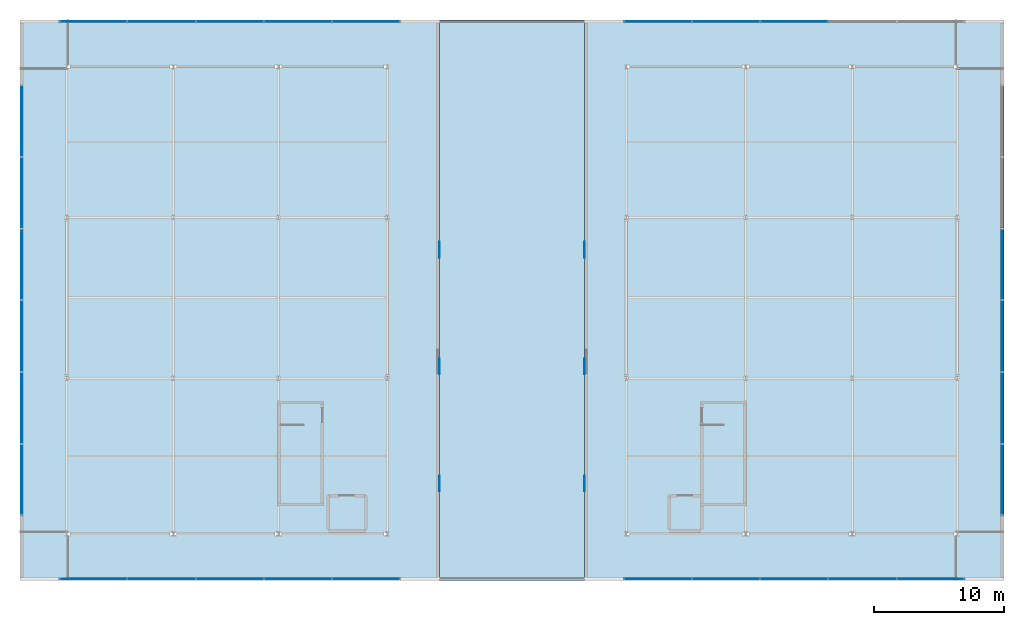
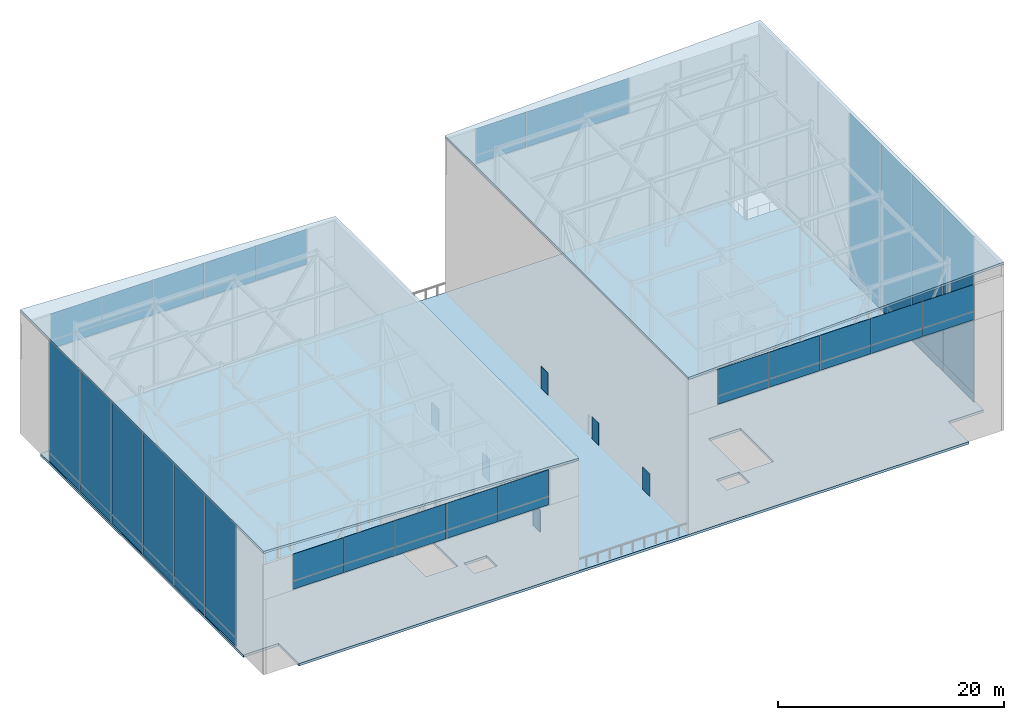
# One storey, part 36 of 39: 62 plates, 3 slabs, 6 elements without a shape of their own.
"""IFC4 building model written with IfcOpenShell, lengths in metres."""

from ifc_helpers import new_model, si_unit, direction, frame, origin, origin_2d, place, context, subcontext, project, spatial, polyline, rectangle, outline, extrude, material, layer, layer_set, type_object, element, aggregate, save


model = new_model("IFC4")

# Units and contexts
model_context = context("Model", 3, precision=1e-05, world=origin(), true_north=direction((0.0, 1.0)))
body_context = subcontext(model_context, "Body", "Model", "MODEL_VIEW")
ifc_project = project(units=[si_unit("LENGTHUNIT", "METRE"), si_unit("AREAUNIT", "SQUARE_METRE"), si_unit("VOLUMEUNIT", "CUBIC_METRE"), si_unit("PLANEANGLEUNIT", "RADIAN"), si_unit("MASSUNIT", "GRAM", prefix="KILO")], contexts=[model_context])

# Site, building, storey
site_placement = place(None, origin())
site = spatial("IfcSite", under=ifc_project, at=site_placement, CompositionType="ELEMENT")
building_placement = place(site_placement, origin())
building = spatial("IfcBuilding", under=site, at=building_placement, Name="Korimba Cascade Residences", CompositionType="ELEMENT")
storey_placement = place(building_placement, frame((0.0, 0.0, 264.199951171875)))
storey = spatial("IfcBuildingStorey", under=building, at=storey_placement, Name="RF", CompositionType="ELEMENT", Elevation=264.199951171875)

# Curtain wall, plates
ifc_material_1 = material(Name="Anodised Aluminium Curtain Wall Framing", Category="aluminium")
ifc_layer_1 = layer(ifc_material_1, 0.179931640625)
ifc_layer_set_1 = layer_set([ifc_layer_1], Name="Anodised Aluminium Curtain Wall Framing")
curtain_wall_type = type_object("IfcCurtainWallType", Name="CW-CRNW-SYS5", PredefinedType="NOTDEFINED", material=ifc_layer_set_1)
curtain_wall_1_placement = place(storey_placement, origin())
curtain_wall_1 = element("IfcCurtainWall", 1, at=curtain_wall_1_placement, inside=storey, type_object=curtain_wall_type, Name="RF Curtain Wall CW-RF-CRN-W-1", PredefinedType="NOTDEFINED")
ifc_material_2 = material(Name="Insulated Stone-Tone Spandrel Panel", Category="masonry")
ifc_layer_2 = layer(ifc_material_2, 0.0400390625)
ifc_layer_set_2 = layer_set([ifc_layer_2], Name="Insulated Stone-Tone Spandrel Panel")
plate_type_1 = type_object("IfcPlateType", Name="CWP-SPN-40", PredefinedType="USERDEFINED", material=ifc_layer_set_2)
plate_1_placement = place(storey_placement, frame((56.324951171875, 59.38671875, 0.0), z_axis=(0.0, 0.0, 1.0), x_axis=(0.0, 1.0, 0.0)))
plate_1 = element("IfcPlate", 2, at=plate_1_placement, type_object=plate_type_1, Name="CW-RF-CRN-W-1 Spandrel Panel 1", ObjectType="SPANDREL", PredefinedType="USERDEFINED", context=body_context, shape_type="SweptSolid", body=[
    extrude(rectangle(XDim=5.443359375, YDim=0.0400390625, at=origin_2d()), origin(), (0.0, 0.0, 1.0), 0.89990234375),
])
plate_2_placement = place(storey_placement, frame((56.324951171875, 64.89990234375, 0.0), z_axis=(0.0, 0.0, 1.0), x_axis=(0.0, 1.0, 0.0)))
plate_2 = element("IfcPlate", 3, at=plate_2_placement, type_object=plate_type_1, Name="CW-RF-CRN-W-1 Spandrel Panel 2", ObjectType="SPANDREL", PredefinedType="USERDEFINED", context=body_context, shape_type="SweptSolid", body=[
    extrude(rectangle(XDim=5.4833984375, YDim=0.0400390625, at=origin_2d()), origin(), (0.0, 0.0, 1.0), 0.89990234375),
])
plate_3_placement = place(storey_placement, frame((56.324951171875, 70.433349609375, 0.0), z_axis=(0.0, 0.0, 1.0), x_axis=(0.0, 1.0, 0.0)))
plate_3 = element("IfcPlate", 4, at=plate_3_placement, type_object=plate_type_1, Name="CW-RF-CRN-W-1 Spandrel Panel 3", ObjectType="SPANDREL", PredefinedType="USERDEFINED", context=body_context, shape_type="SweptSolid", body=[
    extrude(rectangle(XDim=5.4833984375, YDim=0.0400390625, at=origin_2d()), origin(), (0.0, 0.0, 1.0), 0.89990234375),
])
plate_4_placement = place(storey_placement, frame((56.324951171875, 75.966796875, 0.0), z_axis=(0.0, 0.0, 1.0), x_axis=(0.0, 1.0, 0.0)))
plate_4 = element("IfcPlate", 5, at=plate_4_placement, type_object=plate_type_1, Name="CW-RF-CRN-W-1 Spandrel Panel 4", ObjectType="SPANDREL", PredefinedType="USERDEFINED", context=body_context, shape_type="SweptSolid", body=[
    extrude(rectangle(XDim=5.4833984375, YDim=0.0400390625, at=origin_2d()), origin(), (0.0, 0.0, 1.0), 0.89990234375),
])
plate_5_placement = place(storey_placement, frame((56.324951171875, 81.5, 0.0), z_axis=(0.0, 0.0, 1.0), x_axis=(0.0, 1.0, 0.0)))
plate_5 = element("IfcPlate", 6, at=plate_5_placement, type_object=plate_type_1, Name="CW-RF-CRN-W-1 Spandrel Panel 5", ObjectType="SPANDREL", PredefinedType="USERDEFINED", context=body_context, shape_type="SweptSolid", body=[
    extrude(rectangle(XDim=5.4833984375, YDim=0.0400390625, at=origin_2d()), origin(), (0.0, 0.0, 1.0), 0.89990234375),
])
plate_6_placement = place(storey_placement, frame((56.324951171875, 87.01318359375, 0.0), z_axis=(0.0, 0.0, 1.0), x_axis=(0.0, 1.0, 0.0)))
plate_6 = element("IfcPlate", 7, at=plate_6_placement, type_object=plate_type_1, Name="CW-RF-CRN-W-1 Spandrel Panel 6", ObjectType="SPANDREL", PredefinedType="USERDEFINED", context=body_context, shape_type="SweptSolid", body=[
    extrude(rectangle(XDim=5.443359375, YDim=0.0400390625, at=origin_2d()), origin(), (0.0, 0.0, 1.0), 0.89990234375),
])

curtain_wall_2_placement = place(storey_placement, origin())
curtain_wall_2 = element("IfcCurtainWall", 8, at=curtain_wall_2_placement, inside=storey, type_object=curtain_wall_type, Name="RF Curtain Wall CW-RF-CRN-W-2", PredefinedType="NOTDEFINED")
plate_7_placement = place(storey_placement, frame((61.85009765625, 94.675048828125, 8.150146484375), z_axis=(0.0, 0.0, 1.0), x_axis=(1.0, 0.0, 0.0)))
plate_7 = element("IfcPlate", 9, at=plate_7_placement, type_object=plate_type_1, Name="CW-RF-CRN-W-2 Spandrel Panel 1", ObjectType="SPANDREL", PredefinedType="USERDEFINED", context=body_context, shape_type="SweptSolid", body=[
    extrude(rectangle(XDim=5.169921875, YDim=0.0400390625, at=origin_2d()), origin(), (0.0, 0.0, 1.0), 0.89990234375),
])
plate_8_placement = place(storey_placement, frame((67.090087890625, 94.675048828125, 8.150146484375), z_axis=(0.0, 0.0, 1.0), x_axis=(1.0, 0.0, 0.0)))
plate_8 = element("IfcPlate", 10, at=plate_8_placement, type_object=plate_type_1, Name="CW-RF-CRN-W-2 Spandrel Panel 2", ObjectType="SPANDREL", PredefinedType="USERDEFINED", context=body_context, shape_type="SweptSolid", body=[
    extrude(rectangle(XDim=5.2099609375, YDim=0.0400390625, at=origin_2d()), origin(), (0.0, 0.0, 1.0), 0.89990234375),
])
plate_9_placement = place(storey_placement, frame((72.35009765625, 94.675048828125, 8.150146484375), z_axis=(0.0, 0.0, 1.0), x_axis=(1.0, 0.0, 0.0)))
plate_9 = element("IfcPlate", 11, at=plate_9_placement, type_object=plate_type_1, Name="CW-RF-CRN-W-2 Spandrel Panel 3", ObjectType="SPANDREL", PredefinedType="USERDEFINED", context=body_context, shape_type="SweptSolid", body=[
    extrude(rectangle(XDim=5.2099609375, YDim=0.0400390625, at=origin_2d()), origin(), (0.0, 0.0, 1.0), 0.89990234375),
])
plate_10_placement = place(storey_placement, frame((77.610107421875, 94.675048828125, 8.150146484375), z_axis=(0.0, 0.0, 1.0), x_axis=(1.0, 0.0, 0.0)))
plate_10 = element("IfcPlate", 12, at=plate_10_placement, type_object=plate_type_1, Name="CW-RF-CRN-W-2 Spandrel Panel 4", ObjectType="SPANDREL", PredefinedType="USERDEFINED", context=body_context, shape_type="SweptSolid", body=[
    extrude(rectangle(XDim=5.2099609375, YDim=0.0400390625, at=origin_2d()), origin(), (0.0, 0.0, 1.0), 0.89990234375),
])
plate_11_placement = place(storey_placement, frame((82.85009765625, 94.675048828125, 8.150146484375), z_axis=(0.0, 0.0, 1.0), x_axis=(1.0, 0.0, 0.0)))
plate_11 = element("IfcPlate", 13, at=plate_11_placement, type_object=plate_type_1, Name="CW-RF-CRN-W-2 Spandrel Panel 5", ObjectType="SPANDREL", PredefinedType="USERDEFINED", context=body_context, shape_type="SweptSolid", body=[
    extrude(rectangle(XDim=5.169921875, YDim=0.0400390625, at=origin_2d()), origin(), (0.0, 0.0, 1.0), 0.89990234375),
])

curtain_wall_3_placement = place(storey_placement, origin())
curtain_wall_3 = element("IfcCurtainWall", 14, at=curtain_wall_3_placement, inside=storey, type_object=curtain_wall_type, Name="RF Curtain Wall CW-RF-CRN-W-3", PredefinedType="NOTDEFINED")
plate_12_placement = place(storey_placement, frame((61.85009765625, 51.72509765625, 8.150146484375), z_axis=(0.0, 0.0, 1.0), x_axis=(1.0, 0.0, 0.0)))
plate_12 = element("IfcPlate", 15, at=plate_12_placement, type_object=plate_type_1, Name="CW-RF-CRN-W-3 Spandrel Panel 1", ObjectType="SPANDREL", PredefinedType="USERDEFINED", context=body_context, shape_type="SweptSolid", body=[
    extrude(rectangle(XDim=5.169921875, YDim=0.0400390625, at=origin_2d()), origin(), (0.0, 0.0, 1.0), 0.89990234375),
])
plate_13_placement = place(storey_placement, frame((67.090087890625, 51.72509765625, 8.150146484375), z_axis=(0.0, 0.0, 1.0), x_axis=(1.0, 0.0, 0.0)))
plate_13 = element("IfcPlate", 16, at=plate_13_placement, type_object=plate_type_1, Name="CW-RF-CRN-W-3 Spandrel Panel 2", ObjectType="SPANDREL", PredefinedType="USERDEFINED", context=body_context, shape_type="SweptSolid", body=[
    extrude(rectangle(XDim=5.2099609375, YDim=0.0400390625, at=origin_2d()), origin(), (0.0, 0.0, 1.0), 0.89990234375),
])
plate_14_placement = place(storey_placement, frame((72.35009765625, 51.72509765625, 8.150146484375), z_axis=(0.0, 0.0, 1.0), x_axis=(1.0, 0.0, 0.0)))
plate_14 = element("IfcPlate", 17, at=plate_14_placement, type_object=plate_type_1, Name="CW-RF-CRN-W-3 Spandrel Panel 3", ObjectType="SPANDREL", PredefinedType="USERDEFINED", context=body_context, shape_type="SweptSolid", body=[
    extrude(rectangle(XDim=5.2099609375, YDim=0.0400390625, at=origin_2d()), origin(), (0.0, 0.0, 1.0), 0.89990234375),
])
plate_15_placement = place(storey_placement, frame((77.610107421875, 51.72509765625, 8.150146484375), z_axis=(0.0, 0.0, 1.0), x_axis=(1.0, 0.0, 0.0)))
plate_15 = element("IfcPlate", 18, at=plate_15_placement, type_object=plate_type_1, Name="CW-RF-CRN-W-3 Spandrel Panel 4", ObjectType="SPANDREL", PredefinedType="USERDEFINED", context=body_context, shape_type="SweptSolid", body=[
    extrude(rectangle(XDim=5.2099609375, YDim=0.0400390625, at=origin_2d()), origin(), (0.0, 0.0, 1.0), 0.89990234375),
])
plate_16_placement = place(storey_placement, frame((82.85009765625, 51.72509765625, 8.150146484375), z_axis=(0.0, 0.0, 1.0), x_axis=(1.0, 0.0, 0.0)))
plate_16 = element("IfcPlate", 19, at=plate_16_placement, type_object=plate_type_1, Name="CW-RF-CRN-W-3 Spandrel Panel 5", ObjectType="SPANDREL", PredefinedType="USERDEFINED", context=body_context, shape_type="SweptSolid", body=[
    extrude(rectangle(XDim=5.169921875, YDim=0.0400390625, at=origin_2d()), origin(), (0.0, 0.0, 1.0), 0.89990234375),
])

curtain_wall_4_placement = place(storey_placement, origin())
curtain_wall_4 = element("IfcCurtainWall", 20, at=curtain_wall_4_placement, inside=storey, type_object=curtain_wall_type, Name="RF Curtain Wall CW-RF-CRN-E-1", PredefinedType="NOTDEFINED")
plate_17_placement = place(storey_placement, frame((131.875, 59.38671875, 0.0), z_axis=(0.0, 0.0, 1.0), x_axis=(0.0, 1.0, 0.0)))
plate_17 = element("IfcPlate", 21, at=plate_17_placement, type_object=plate_type_1, Name="CW-RF-CRN-E-1 Spandrel Panel 1", ObjectType="SPANDREL", PredefinedType="USERDEFINED", context=body_context, shape_type="SweptSolid", body=[
    extrude(rectangle(XDim=5.443359375, YDim=0.0400390625, at=origin_2d()), origin(), (0.0, 0.0, 1.0), 0.89990234375),
])
plate_18_placement = place(storey_placement, frame((131.875, 64.89990234375, 0.0), z_axis=(0.0, 0.0, 1.0), x_axis=(0.0, 1.0, 0.0)))
plate_18 = element("IfcPlate", 22, at=plate_18_placement, type_object=plate_type_1, Name="CW-RF-CRN-E-1 Spandrel Panel 2", ObjectType="SPANDREL", PredefinedType="USERDEFINED", context=body_context, shape_type="SweptSolid", body=[
    extrude(rectangle(XDim=5.4833984375, YDim=0.0400390625, at=origin_2d()), origin(), (0.0, 0.0, 1.0), 0.89990234375),
])
plate_19_placement = place(storey_placement, frame((131.875, 70.433349609375, 0.0), z_axis=(0.0, 0.0, 1.0), x_axis=(0.0, 1.0, 0.0)))
plate_19 = element("IfcPlate", 23, at=plate_19_placement, type_object=plate_type_1, Name="CW-RF-CRN-E-1 Spandrel Panel 3", ObjectType="SPANDREL", PredefinedType="USERDEFINED", context=body_context, shape_type="SweptSolid", body=[
    extrude(rectangle(XDim=5.4833984375, YDim=0.0400390625, at=origin_2d()), origin(), (0.0, 0.0, 1.0), 0.89990234375),
])
plate_20_placement = place(storey_placement, frame((131.875, 75.966796875, 0.0), z_axis=(0.0, 0.0, 1.0), x_axis=(0.0, 1.0, 0.0)))
plate_20 = element("IfcPlate", 24, at=plate_20_placement, type_object=plate_type_1, Name="CW-RF-CRN-E-1 Spandrel Panel 4", ObjectType="SPANDREL", PredefinedType="USERDEFINED", context=body_context, shape_type="SweptSolid", body=[
    extrude(rectangle(XDim=5.4833984375, YDim=0.0400390625, at=origin_2d()), origin(), (0.0, 0.0, 1.0), 0.89990234375),
])

curtain_wall_5_placement = place(storey_placement, origin())
curtain_wall_5 = element("IfcCurtainWall", 25, at=curtain_wall_5_placement, inside=storey, type_object=curtain_wall_type, Name="RF Curtain Wall CW-RF-CRN-E-2", PredefinedType="NOTDEFINED")
plate_21_placement = place(storey_placement, frame((105.35009765625, 94.675048828125, 12.9501953125), z_axis=(0.0, 0.0, 1.0), x_axis=(1.0, 0.0, 0.0)))
plate_21 = element("IfcPlate", 26, at=plate_21_placement, type_object=plate_type_1, Name="CW-RF-CRN-E-2 Spandrel Panel 1", ObjectType="SPANDREL", PredefinedType="USERDEFINED", context=body_context, shape_type="SweptSolid", body=[
    extrude(rectangle(XDim=5.169921875, YDim=0.0400390625, at=origin_2d()), origin(), (0.0, 0.0, 1.0), 0.89990234375),
])
plate_22_placement = place(storey_placement, frame((110.590087890625, 94.675048828125, 12.9501953125), z_axis=(0.0, 0.0, 1.0), x_axis=(1.0, 0.0, 0.0)))
plate_22 = element("IfcPlate", 27, at=plate_22_placement, type_object=plate_type_1, Name="CW-RF-CRN-E-2 Spandrel Panel 2", ObjectType="SPANDREL", PredefinedType="USERDEFINED", context=body_context, shape_type="SweptSolid", body=[
    extrude(rectangle(XDim=5.2099609375, YDim=0.0400390625, at=origin_2d()), origin(), (0.0, 0.0, 1.0), 0.89990234375),
])
plate_23_placement = place(storey_placement, frame((115.85009765625, 94.675048828125, 12.9501953125), z_axis=(0.0, 0.0, 1.0), x_axis=(1.0, 0.0, 0.0)))
plate_23 = element("IfcPlate", 28, at=plate_23_placement, type_object=plate_type_1, Name="CW-RF-CRN-E-2 Spandrel Panel 3", ObjectType="SPANDREL", PredefinedType="USERDEFINED", context=body_context, shape_type="SweptSolid", body=[
    extrude(rectangle(XDim=5.2099609375, YDim=0.0400390625, at=origin_2d()), origin(), (0.0, 0.0, 1.0), 0.89990234375),
])

curtain_wall_6_placement = place(storey_placement, origin())
curtain_wall_6 = element("IfcCurtainWall", 29, at=curtain_wall_6_placement, inside=storey, type_object=curtain_wall_type, Name="RF Curtain Wall CW-RF-CRN-E-3", PredefinedType="NOTDEFINED")
plate_24_placement = place(storey_placement, frame((105.35009765625, 51.72509765625, 12.9501953125), z_axis=(0.0, 0.0, 1.0), x_axis=(1.0, 0.0, 0.0)))
plate_24 = element("IfcPlate", 30, at=plate_24_placement, type_object=plate_type_1, Name="CW-RF-CRN-E-3 Spandrel Panel 1", ObjectType="SPANDREL", PredefinedType="USERDEFINED", context=body_context, shape_type="SweptSolid", body=[
    extrude(rectangle(XDim=5.169921875, YDim=0.0400390625, at=origin_2d()), origin(), (0.0, 0.0, 1.0), 0.89990234375),
])
plate_25_placement = place(storey_placement, frame((110.590087890625, 51.72509765625, 12.9501953125), z_axis=(0.0, 0.0, 1.0), x_axis=(1.0, 0.0, 0.0)))
plate_25 = element("IfcPlate", 31, at=plate_25_placement, type_object=plate_type_1, Name="CW-RF-CRN-E-3 Spandrel Panel 2", ObjectType="SPANDREL", PredefinedType="USERDEFINED", context=body_context, shape_type="SweptSolid", body=[
    extrude(rectangle(XDim=5.2099609375, YDim=0.0400390625, at=origin_2d()), origin(), (0.0, 0.0, 1.0), 0.89990234375),
])
plate_26_placement = place(storey_placement, frame((115.85009765625, 51.72509765625, 12.9501953125), z_axis=(0.0, 0.0, 1.0), x_axis=(1.0, 0.0, 0.0)))
plate_26 = element("IfcPlate", 32, at=plate_26_placement, type_object=plate_type_1, Name="CW-RF-CRN-E-3 Spandrel Panel 3", ObjectType="SPANDREL", PredefinedType="USERDEFINED", context=body_context, shape_type="SweptSolid", body=[
    extrude(rectangle(XDim=5.2099609375, YDim=0.0400390625, at=origin_2d()), origin(), (0.0, 0.0, 1.0), 0.89990234375),
])
plate_27_placement = place(storey_placement, frame((121.110107421875, 51.72509765625, 12.9501953125), z_axis=(0.0, 0.0, 1.0), x_axis=(1.0, 0.0, 0.0)))
plate_27 = element("IfcPlate", 33, at=plate_27_placement, type_object=plate_type_1, Name="CW-RF-CRN-E-3 Spandrel Panel 4", ObjectType="SPANDREL", PredefinedType="USERDEFINED", context=body_context, shape_type="SweptSolid", body=[
    extrude(rectangle(XDim=5.2099609375, YDim=0.0400390625, at=origin_2d()), origin(), (0.0, 0.0, 1.0), 0.89990234375),
])
plate_28_placement = place(storey_placement, frame((126.35009765625, 51.72509765625, 12.9501953125), z_axis=(0.0, 0.0, 1.0), x_axis=(1.0, 0.0, 0.0)))
plate_28 = element("IfcPlate", 34, at=plate_28_placement, type_object=plate_type_1, Name="CW-RF-CRN-E-3 Spandrel Panel 5", ObjectType="SPANDREL", PredefinedType="USERDEFINED", context=body_context, shape_type="SweptSolid", body=[
    extrude(rectangle(XDim=5.169921875, YDim=0.0400390625, at=origin_2d()), origin(), (0.0, 0.0, 1.0), 0.89990234375),
])

# Plate
ifc_material_3 = material(Name="Low-E Double Glazing Unit", Category="glass")
ifc_layer_3 = layer(ifc_material_3, 0.028076171875)
ifc_layer_set_3 = layer_set([ifc_layer_3], Name="Low-E Double Glazing Unit")
plate_type_2 = type_object("IfcPlateType", Name="CWP-VIS-28", PredefinedType="CURTAIN_PANEL", material=ifc_layer_set_3)
plate_29_placement = place(storey_placement, frame((56.324951171875, 59.38671875, 0.89990234375), z_axis=(0.0, 0.0, 1.0), x_axis=(0.0, 1.0, 0.0)))
plate_29 = element("IfcPlate", 35, at=plate_29_placement, type_object=plate_type_2, Name="CW-RF-CRN-W-1 Vision Glass Panel 1", PredefinedType="CURTAIN_PANEL", context=body_context, shape_type="SweptSolid", body=[
    extrude(rectangle(XDim=5.443359375, YDim=0.028076171875, at=origin_2d()), origin(), (0.0, 0.0, 1.0), 12.245361328125),
])

plate_30_placement = place(storey_placement, frame((56.324951171875, 64.89990234375, 0.89990234375), z_axis=(0.0, 0.0, 1.0), x_axis=(0.0, 1.0, 0.0)))
plate_30 = element("IfcPlate", 36, at=plate_30_placement, type_object=plate_type_2, Name="CW-RF-CRN-W-1 Vision Glass Panel 2", PredefinedType="CURTAIN_PANEL", context=body_context, shape_type="SweptSolid", body=[
    extrude(rectangle(XDim=5.4833984375, YDim=0.028076171875, at=origin_2d()), origin(), (0.0, 0.0, 1.0), 12.245361328125),
])

plate_31_placement = place(storey_placement, frame((56.324951171875, 70.433349609375, 0.89990234375), z_axis=(0.0, 0.0, 1.0), x_axis=(0.0, 1.0, 0.0)))
plate_31 = element("IfcPlate", 37, at=plate_31_placement, type_object=plate_type_2, Name="CW-RF-CRN-W-1 Vision Glass Panel 3", PredefinedType="CURTAIN_PANEL", context=body_context, shape_type="SweptSolid", body=[
    extrude(rectangle(XDim=5.4833984375, YDim=0.028076171875, at=origin_2d()), origin(), (0.0, 0.0, 1.0), 12.245361328125),
])

plate_32_placement = place(storey_placement, frame((56.324951171875, 75.966796875, 0.89990234375), z_axis=(0.0, 0.0, 1.0), x_axis=(0.0, 1.0, 0.0)))
plate_32 = element("IfcPlate", 38, at=plate_32_placement, type_object=plate_type_2, Name="CW-RF-CRN-W-1 Vision Glass Panel 4", PredefinedType="CURTAIN_PANEL", context=body_context, shape_type="SweptSolid", body=[
    extrude(rectangle(XDim=5.4833984375, YDim=0.028076171875, at=origin_2d()), origin(), (0.0, 0.0, 1.0), 12.245361328125),
])

plate_33_placement = place(storey_placement, frame((56.324951171875, 81.5, 0.89990234375), z_axis=(0.0, 0.0, 1.0), x_axis=(0.0, 1.0, 0.0)))
plate_33 = element("IfcPlate", 39, at=plate_33_placement, type_object=plate_type_2, Name="CW-RF-CRN-W-1 Vision Glass Panel 5", PredefinedType="CURTAIN_PANEL", context=body_context, shape_type="SweptSolid", body=[
    extrude(rectangle(XDim=5.4833984375, YDim=0.028076171875, at=origin_2d()), origin(), (0.0, 0.0, 1.0), 12.245361328125),
])

plate_34_placement = place(storey_placement, frame((56.324951171875, 87.01318359375, 0.89990234375), z_axis=(0.0, 0.0, 1.0), x_axis=(0.0, 1.0, 0.0)))
plate_34 = element("IfcPlate", 40, at=plate_34_placement, type_object=plate_type_2, Name="CW-RF-CRN-W-1 Vision Glass Panel 6", PredefinedType="CURTAIN_PANEL", context=body_context, shape_type="SweptSolid", body=[
    extrude(rectangle(XDim=5.443359375, YDim=0.028076171875, at=origin_2d()), origin(), (0.0, 0.0, 1.0), 12.245361328125),
])

aggregate(curtain_wall_1, [plate_1, plate_29, plate_2, plate_30, plate_3, plate_31, plate_4, plate_32, plate_5, plate_33, plate_6, plate_34])

plate_35_placement = place(storey_placement, frame((61.85009765625, 94.675048828125, 9.050048828125), z_axis=(0.0, 0.0, 1.0), x_axis=(1.0, 0.0, 0.0)))
plate_35 = element("IfcPlate", 41, at=plate_35_placement, type_object=plate_type_2, Name="CW-RF-CRN-W-2 Vision Glass Panel 1", PredefinedType="CURTAIN_PANEL", context=body_context, shape_type="SweptSolid", body=[
    extrude(rectangle(XDim=5.169921875, YDim=0.028076171875, at=origin_2d()), origin(), (0.0, 0.0, 1.0), 2.89990234375),
])

plate_36_placement = place(storey_placement, frame((67.090087890625, 94.675048828125, 9.050048828125), z_axis=(0.0, 0.0, 1.0), x_axis=(1.0, 0.0, 0.0)))
plate_36 = element("IfcPlate", 42, at=plate_36_placement, type_object=plate_type_2, Name="CW-RF-CRN-W-2 Vision Glass Panel 2", PredefinedType="CURTAIN_PANEL", context=body_context, shape_type="SweptSolid", body=[
    extrude(rectangle(XDim=5.2099609375, YDim=0.028076171875, at=origin_2d()), origin(), (0.0, 0.0, 1.0), 2.89990234375),
])

plate_37_placement = place(storey_placement, frame((72.35009765625, 94.675048828125, 9.050048828125), z_axis=(0.0, 0.0, 1.0), x_axis=(1.0, 0.0, 0.0)))
plate_37 = element("IfcPlate", 43, at=plate_37_placement, type_object=plate_type_2, Name="CW-RF-CRN-W-2 Vision Glass Panel 3", PredefinedType="CURTAIN_PANEL", context=body_context, shape_type="SweptSolid", body=[
    extrude(rectangle(XDim=5.2099609375, YDim=0.028076171875, at=origin_2d()), origin(), (0.0, 0.0, 1.0), 2.89990234375),
])

plate_38_placement = place(storey_placement, frame((77.610107421875, 94.675048828125, 9.050048828125), z_axis=(0.0, 0.0, 1.0), x_axis=(1.0, 0.0, 0.0)))
plate_38 = element("IfcPlate", 44, at=plate_38_placement, type_object=plate_type_2, Name="CW-RF-CRN-W-2 Vision Glass Panel 4", PredefinedType="CURTAIN_PANEL", context=body_context, shape_type="SweptSolid", body=[
    extrude(rectangle(XDim=5.2099609375, YDim=0.028076171875, at=origin_2d()), origin(), (0.0, 0.0, 1.0), 2.89990234375),
])

plate_39_placement = place(storey_placement, frame((82.85009765625, 94.675048828125, 9.050048828125), z_axis=(0.0, 0.0, 1.0), x_axis=(1.0, 0.0, 0.0)))
plate_39 = element("IfcPlate", 45, at=plate_39_placement, type_object=plate_type_2, Name="CW-RF-CRN-W-2 Vision Glass Panel 5", PredefinedType="CURTAIN_PANEL", context=body_context, shape_type="SweptSolid", body=[
    extrude(rectangle(XDim=5.169921875, YDim=0.028076171875, at=origin_2d()), origin(), (0.0, 0.0, 1.0), 2.89990234375),
])

aggregate(curtain_wall_2, [plate_7, plate_35, plate_8, plate_36, plate_9, plate_37, plate_10, plate_38, plate_11, plate_39])

plate_40_placement = place(storey_placement, frame((61.85009765625, 51.72509765625, 9.050048828125), z_axis=(0.0, 0.0, 1.0), x_axis=(1.0, 0.0, 0.0)))
plate_40 = element("IfcPlate", 46, at=plate_40_placement, type_object=plate_type_2, Name="CW-RF-CRN-W-3 Vision Glass Panel 1", PredefinedType="CURTAIN_PANEL", context=body_context, shape_type="SweptSolid", body=[
    extrude(rectangle(XDim=5.169921875, YDim=0.028076171875, at=origin_2d()), origin(), (0.0, 0.0, 1.0), 2.89990234375),
])

plate_41_placement = place(storey_placement, frame((67.090087890625, 51.72509765625, 9.050048828125), z_axis=(0.0, 0.0, 1.0), x_axis=(1.0, 0.0, 0.0)))
plate_41 = element("IfcPlate", 47, at=plate_41_placement, type_object=plate_type_2, Name="CW-RF-CRN-W-3 Vision Glass Panel 2", PredefinedType="CURTAIN_PANEL", context=body_context, shape_type="SweptSolid", body=[
    extrude(rectangle(XDim=5.2099609375, YDim=0.028076171875, at=origin_2d()), origin(), (0.0, 0.0, 1.0), 2.89990234375),
])

plate_42_placement = place(storey_placement, frame((72.35009765625, 51.72509765625, 9.050048828125), z_axis=(0.0, 0.0, 1.0), x_axis=(1.0, 0.0, 0.0)))
plate_42 = element("IfcPlate", 48, at=plate_42_placement, type_object=plate_type_2, Name="CW-RF-CRN-W-3 Vision Glass Panel 3", PredefinedType="CURTAIN_PANEL", context=body_context, shape_type="SweptSolid", body=[
    extrude(rectangle(XDim=5.2099609375, YDim=0.028076171875, at=origin_2d()), origin(), (0.0, 0.0, 1.0), 2.89990234375),
])

plate_43_placement = place(storey_placement, frame((77.610107421875, 51.72509765625, 9.050048828125), z_axis=(0.0, 0.0, 1.0), x_axis=(1.0, 0.0, 0.0)))
plate_43 = element("IfcPlate", 49, at=plate_43_placement, type_object=plate_type_2, Name="CW-RF-CRN-W-3 Vision Glass Panel 4", PredefinedType="CURTAIN_PANEL", context=body_context, shape_type="SweptSolid", body=[
    extrude(rectangle(XDim=5.2099609375, YDim=0.028076171875, at=origin_2d()), origin(), (0.0, 0.0, 1.0), 2.89990234375),
])

plate_44_placement = place(storey_placement, frame((82.85009765625, 51.72509765625, 9.050048828125), z_axis=(0.0, 0.0, 1.0), x_axis=(1.0, 0.0, 0.0)))
plate_44 = element("IfcPlate", 50, at=plate_44_placement, type_object=plate_type_2, Name="CW-RF-CRN-W-3 Vision Glass Panel 5", PredefinedType="CURTAIN_PANEL", context=body_context, shape_type="SweptSolid", body=[
    extrude(rectangle(XDim=5.169921875, YDim=0.028076171875, at=origin_2d()), origin(), (0.0, 0.0, 1.0), 2.89990234375),
])

aggregate(curtain_wall_3, [plate_12, plate_40, plate_13, plate_41, plate_14, plate_42, plate_15, plate_43, plate_16, plate_44])

plate_45_placement = place(storey_placement, frame((131.875, 59.38671875, 0.900146484375), z_axis=(0.0, 0.0, 1.0), x_axis=(0.0, 1.0, 0.0)))
plate_45 = element("IfcPlate", 51, at=plate_45_placement, type_object=plate_type_2, Name="CW-RF-CRN-E-1 Vision Glass Panel 1", PredefinedType="CURTAIN_PANEL", context=body_context, shape_type="SweptSolid", body=[
    extrude(rectangle(XDim=5.443359375, YDim=0.028076171875, at=origin_2d()), origin(), (0.0, 0.0, 1.0), 17.04541015625),
])

plate_46_placement = place(storey_placement, frame((131.875, 64.89990234375, 0.900146484375), z_axis=(0.0, 0.0, 1.0), x_axis=(0.0, 1.0, 0.0)))
plate_46 = element("IfcPlate", 52, at=plate_46_placement, type_object=plate_type_2, Name="CW-RF-CRN-E-1 Vision Glass Panel 2", PredefinedType="CURTAIN_PANEL", context=body_context, shape_type="SweptSolid", body=[
    extrude(rectangle(XDim=5.4833984375, YDim=0.028076171875, at=origin_2d()), origin(), (0.0, 0.0, 1.0), 17.04541015625),
])

plate_47_placement = place(storey_placement, frame((131.875, 70.433349609375, 0.900146484375), z_axis=(0.0, 0.0, 1.0), x_axis=(0.0, 1.0, 0.0)))
plate_47 = element("IfcPlate", 53, at=plate_47_placement, type_object=plate_type_2, Name="CW-RF-CRN-E-1 Vision Glass Panel 3", PredefinedType="CURTAIN_PANEL", context=body_context, shape_type="SweptSolid", body=[
    extrude(rectangle(XDim=5.4833984375, YDim=0.028076171875, at=origin_2d()), origin(), (0.0, 0.0, 1.0), 17.04541015625),
])

plate_48_placement = place(storey_placement, frame((131.875, 75.966796875, 0.900146484375), z_axis=(0.0, 0.0, 1.0), x_axis=(0.0, 1.0, 0.0)))
plate_48 = element("IfcPlate", 54, at=plate_48_placement, type_object=plate_type_2, Name="CW-RF-CRN-E-1 Vision Glass Panel 4", PredefinedType="CURTAIN_PANEL", context=body_context, shape_type="SweptSolid", body=[
    extrude(rectangle(XDim=5.4833984375, YDim=0.028076171875, at=origin_2d()), origin(), (0.0, 0.0, 1.0), 17.04541015625),
])

aggregate(curtain_wall_4, [plate_17, plate_45, plate_18, plate_46, plate_19, plate_47, plate_20, plate_48])

plate_49_placement = place(storey_placement, frame((105.35009765625, 94.675048828125, 13.85009765625), z_axis=(0.0, 0.0, 1.0), x_axis=(1.0, 0.0, 0.0)))
plate_49 = element("IfcPlate", 55, at=plate_49_placement, type_object=plate_type_2, Name="CW-RF-CRN-E-2 Vision Glass Panel 1", PredefinedType="CURTAIN_PANEL", context=body_context, shape_type="SweptSolid", body=[
    extrude(rectangle(XDim=5.169921875, YDim=0.028076171875, at=origin_2d()), origin(), (0.0, 0.0, 1.0), 2.89990234375),
])

plate_50_placement = place(storey_placement, frame((110.590087890625, 94.675048828125, 13.85009765625), z_axis=(0.0, 0.0, 1.0), x_axis=(1.0, 0.0, 0.0)))
plate_50 = element("IfcPlate", 56, at=plate_50_placement, type_object=plate_type_2, Name="CW-RF-CRN-E-2 Vision Glass Panel 2", PredefinedType="CURTAIN_PANEL", context=body_context, shape_type="SweptSolid", body=[
    extrude(rectangle(XDim=5.2099609375, YDim=0.028076171875, at=origin_2d()), origin(), (0.0, 0.0, 1.0), 2.89990234375),
])

plate_51_placement = place(storey_placement, frame((115.85009765625, 94.675048828125, 13.85009765625), z_axis=(0.0, 0.0, 1.0), x_axis=(1.0, 0.0, 0.0)))
plate_51 = element("IfcPlate", 57, at=plate_51_placement, type_object=plate_type_2, Name="CW-RF-CRN-E-2 Vision Glass Panel 3", PredefinedType="CURTAIN_PANEL", context=body_context, shape_type="SweptSolid", body=[
    extrude(rectangle(XDim=5.2099609375, YDim=0.028076171875, at=origin_2d()), origin(), (0.0, 0.0, 1.0), 2.89990234375),
])

aggregate(curtain_wall_5, [plate_21, plate_49, plate_22, plate_50, plate_23, plate_51])

plate_52_placement = place(storey_placement, frame((105.35009765625, 51.72509765625, 13.85009765625), z_axis=(0.0, 0.0, 1.0), x_axis=(1.0, 0.0, 0.0)))
plate_52 = element("IfcPlate", 58, at=plate_52_placement, type_object=plate_type_2, Name="CW-RF-CRN-E-3 Vision Glass Panel 1", PredefinedType="CURTAIN_PANEL", context=body_context, shape_type="SweptSolid", body=[
    extrude(rectangle(XDim=5.169921875, YDim=0.028076171875, at=origin_2d()), origin(), (0.0, 0.0, 1.0), 2.89990234375),
])

plate_53_placement = place(storey_placement, frame((110.590087890625, 51.72509765625, 13.85009765625), z_axis=(0.0, 0.0, 1.0), x_axis=(1.0, 0.0, 0.0)))
plate_53 = element("IfcPlate", 59, at=plate_53_placement, type_object=plate_type_2, Name="CW-RF-CRN-E-3 Vision Glass Panel 2", PredefinedType="CURTAIN_PANEL", context=body_context, shape_type="SweptSolid", body=[
    extrude(rectangle(XDim=5.2099609375, YDim=0.028076171875, at=origin_2d()), origin(), (0.0, 0.0, 1.0), 2.89990234375),
])

plate_54_placement = place(storey_placement, frame((115.85009765625, 51.72509765625, 13.85009765625), z_axis=(0.0, 0.0, 1.0), x_axis=(1.0, 0.0, 0.0)))
plate_54 = element("IfcPlate", 60, at=plate_54_placement, type_object=plate_type_2, Name="CW-RF-CRN-E-3 Vision Glass Panel 3", PredefinedType="CURTAIN_PANEL", context=body_context, shape_type="SweptSolid", body=[
    extrude(rectangle(XDim=5.2099609375, YDim=0.028076171875, at=origin_2d()), origin(), (0.0, 0.0, 1.0), 2.89990234375),
])

plate_55_placement = place(storey_placement, frame((121.110107421875, 51.72509765625, 13.85009765625), z_axis=(0.0, 0.0, 1.0), x_axis=(1.0, 0.0, 0.0)))
plate_55 = element("IfcPlate", 61, at=plate_55_placement, type_object=plate_type_2, Name="CW-RF-CRN-E-3 Vision Glass Panel 4", PredefinedType="CURTAIN_PANEL", context=body_context, shape_type="SweptSolid", body=[
    extrude(rectangle(XDim=5.2099609375, YDim=0.028076171875, at=origin_2d()), origin(), (0.0, 0.0, 1.0), 2.89990234375),
])

plate_56_placement = place(storey_placement, frame((126.35009765625, 51.72509765625, 13.85009765625), z_axis=(0.0, 0.0, 1.0), x_axis=(1.0, 0.0, 0.0)))
plate_56 = element("IfcPlate", 62, at=plate_56_placement, type_object=plate_type_2, Name="CW-RF-CRN-E-3 Vision Glass Panel 5", PredefinedType="CURTAIN_PANEL", context=body_context, shape_type="SweptSolid", body=[
    extrude(rectangle(XDim=5.169921875, YDim=0.028076171875, at=origin_2d()), origin(), (0.0, 0.0, 1.0), 2.89990234375),
])

aggregate(curtain_wall_6, [plate_24, plate_52, plate_25, plate_53, plate_26, plate_54, plate_27, plate_55, plate_28, plate_56])

# Plates
ifc_material_4 = material(Name="Steel S355", Category="steel")
ifc_layer_4 = layer(ifc_material_4, 0.02001953125)
ifc_layer_set_4 = layer_set([ifc_layer_4], Name="Steel S355")
plate_type_3 = type_object("IfcPlateType", Name="PLT-SCREEN-20", PredefinedType="SHEET", material=ifc_layer_set_4)
for number, where, z_axis, x_axis, name in (
    (63, (88.5, 59.10009765625, 0.0), (0.0, 0.0, 1.0), (1.0, 0.0, 0.0), "RF Crown W Bronze Perforated Screen 1"),
    (64, (88.5, 68.10009765625, 0.0), (0.0, 0.0, 1.0), (1.0, 0.0, 0.0), "RF Crown W Bronze Perforated Screen 2"),
    (65, (88.5, 77.10009765625, 0.0), (0.0, 0.0, 1.0), (1.0, 0.0, 0.0), "RF Crown W Bronze Perforated Screen 3"),
    (66, (99.699951171875, 59.10009765625, 0.0), (0.0, 0.0, 1.0), (1.0, 0.0, 0.0), "RF Crown E Bronze Perforated Screen 1"),
    (67, (99.699951171875, 68.10009765625, 0.0), (0.0, 0.0, 1.0), (1.0, 0.0, 0.0), "RF Crown E Bronze Perforated Screen 2"),
    (68, (99.699951171875, 77.10009765625, 0.0), (0.0, 0.0, 1.0), (1.0, 0.0, 0.0), "RF Crown E Bronze Perforated Screen 3"),
):
    element("IfcPlate", number, at=place(storey_placement, frame(where, z_axis=z_axis, x_axis=x_axis)), inside=storey, type_object=plate_type_3, Name=name, PredefinedType="SHEET", context=body_context, shape_type="SweptSolid", body=[
        extrude(rectangle(XDim=0.0400390625, YDim=1.199951171875, at=origin_2d()), origin(), (0.0, 0.0, 1.0), 2.39990234375),
    ])

# Slabs
ifc_material_5 = material(Name="Concrete C50/60", Category="concrete")
ifc_layer_5 = layer(ifc_material_5, 0.27001953125)
ifc_layer_set_5 = layer_set([ifc_layer_5], Name="Concrete C50/60")
slab_type_1 = type_object("IfcSlabType", Name="SLB-CRN-270", PredefinedType="FLOOR", material=ifc_layer_set_5)
slab_placement = place(storey_placement, frame((0.0, 0.0, -0.27001953125)))
element("IfcSlab", 69, at=slab_placement, inside=storey, type_object=slab_type_1, Name="RF Tower 1 Crown Structural Deck Slab", PredefinedType="FLOOR", context=body_context, shape_type="SweptSolid", body=[
    extrude(outline(polyline([(59.800048828125, 51.60009765625), (128.39990234375, 51.60009765625), (128.39990234375, 55.199951171875), (132.0, 55.199951171875), (132.0, 91.199951171875), (128.39990234375, 91.199951171875), (128.39990234375, 94.800048828125), (59.800048828125, 94.800048828125), (59.800048828125, 91.199951171875), (56.199951171875, 91.199951171875), (56.199951171875, 55.199951171875), (59.800048828125, 55.199951171875), (59.800048828125, 51.60009765625)]), holes=[polyline([(76.300048828125, 63.514892578125), (76.300048828125, 57.60009765625), (79.5400390625, 57.60009765625), (79.5400390625, 63.514892578125), (76.300048828125, 63.514892578125)]), polyline([(108.659912109375, 63.514892578125), (108.659912109375, 57.60009765625), (111.89990234375, 57.60009765625), (111.89990234375, 63.514892578125), (108.659912109375, 63.514892578125)]), polyline([(80.22998046875, 55.8798828125), (82.570068359375, 55.8798828125), (82.570068359375, 57.719970703125), (80.22998046875, 57.719970703125), (80.22998046875, 55.8798828125)]), polyline([(106.080078125, 55.8798828125), (108.419921875, 55.8798828125), (108.419921875, 57.719970703125), (106.080078125, 57.719970703125), (106.080078125, 55.8798828125)])]), origin(), (0.0, 0.0, 1.0), 0.27001953125),
])
ifc_material_6 = material(Name="Precast concrete C40/50", Category="concrete")
ifc_layer_6 = layer(ifc_material_6, 0.25)
ifc_layer_set_6 = layer_set([ifc_layer_6], Name="Precast concrete C40/50")
slab_type_2 = type_object("IfcSlabType", Name="SLB-ROOF-250", PredefinedType="ROOF", material=ifc_layer_set_6)
for number, where, z_axis, x_axis, name in (
    (70, (56.199951171875, 51.60009765625, 13.400146484375), (0.037132068268, 0.0, 0.999310366956), (0.999310366956, 0.0, -0.037132068268), "RF Tower 1 West Crown Crest Roof Slab"),
    (71, (99.699951171875, 51.60009765625, 17.0), (-0.03712452537, 0.0, 0.999310647204), (0.999310647204, 0.0, 0.03712452537), "RF Tower 1 East Crown Crest Roof Slab"),
):
    element("IfcSlab", number, at=place(storey_placement, frame(where, z_axis=z_axis, x_axis=x_axis)), inside=storey, type_object=slab_type_2, Name=name, PredefinedType="ROOF", context=body_context, shape_type="SweptSolid", body=[
        extrude(outline(polyline([(0.0, 0.0), (32.322265625, 0.0), (32.322265625, 43.199951171875), (0.0, 43.199951171875), (0.0, 0.0)])), origin(), (0.0, 0.0, -1.0), 0.25),
    ])

save(model, "model.ifc")
